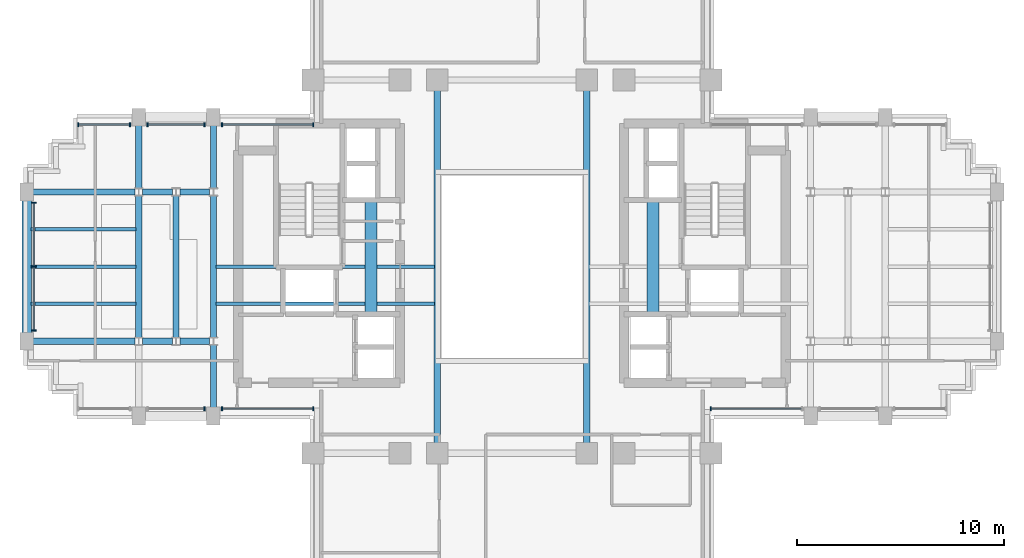
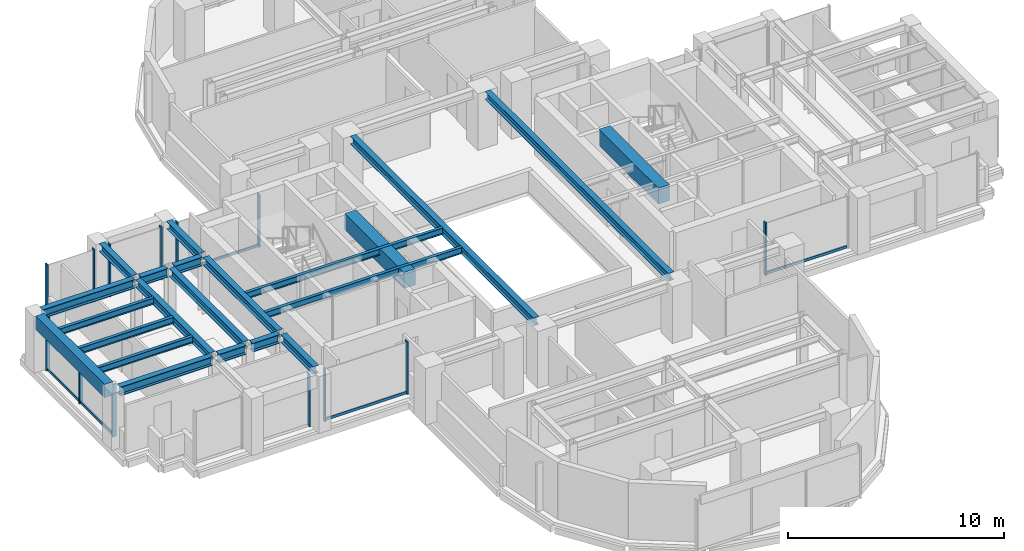
# One storey, part 4 of 14: 22 beams, 20 members, 7 elements without a shape of their own.
"""IFC4 building model written with IfcOpenShell, lengths in metres."""

import ifcopenshell
import ifcopenshell.guid

model = None  # the IFC model being written
_history = None  # IfcOwnerHistory: only IFC2X3 demands one
_inside = {}  # id of a spatial element -> (the spatial element, [elements in it])
_under = {}  # id of a project, library or spatial element -> (it, [spatial elements below it])
_declared = {}  # id of a project -> (the project, [libraries it declares])
_typed = {}  # id of a type object -> (the type object, [elements of that type])
_made_of = {}  # id of a material, layer set ... -> (it, [elements and type objects made of it])


def new_model(schema):
    """Start an empty IFC model of exactly this schema.

    Asked for "IFC4X3", IfcOpenShell would pick the latest addendum, in which some entities
    have other attributes; the version numbers below select the first issue.
    IFC2X3 requires an IfcOwnerHistory on every rooted entity: one is made here for all.
    """
    global model, _history
    if schema == "IFC4X3":
        model = ifcopenshell.file(schema_version=(4, 3, 0, 0))
    else:
        model = ifcopenshell.file(schema=schema)
    _inside.clear()
    _under.clear()
    _declared.clear()
    _typed.clear()
    _made_of.clear()
    _history = None
    if model.schema == "IFC2X3":
        org = make("IfcOrganization", Name="unknown")
        user = make(
            "IfcPersonAndOrganization",
            ThePerson=make("IfcPerson", FamilyName="unknown"),
            TheOrganization=org,
        )
        app = make(
            "IfcApplication",
            ApplicationDeveloper=org,
            Version="unknown",
            ApplicationFullName="unknown",
            ApplicationIdentifier="unknown",
        )
        _history = make(
            "IfcOwnerHistory",
            OwningUser=user,
            OwningApplication=app,
            ChangeAction="ADDED",
            CreationDate=0,
        )
    return model


def make(cls, **values):
    """One entity of the class cls with the attributes given. An attribute that is None is left unset."""
    return model.create_entity(
        cls, **{name: value for name, value in values.items() if value is not None}
    )


def rooted(cls, **values):
    """An entity with a GlobalId (a new one), such as an element, a storey or a relation."""
    return make(cls, GlobalId=ifcopenshell.guid.new(), OwnerHistory=_history, **values)


def si_unit(unit_type, name, prefix=None):
    """IfcSIUnit, for example si_unit("LENGTHUNIT", "METRE", prefix="MILLI")."""
    return make("IfcSIUnit", UnitType=unit_type, Prefix=prefix, Name=name)


def assignment(units):
    """IfcUnitAssignment: the units of a project."""
    return None if units is None else make("IfcUnitAssignment", Units=units)


def point(xyz):
    """IfcCartesianPoint."""
    return None if xyz is None else make("IfcCartesianPoint", Coordinates=xyz)


def direction(xyz):
    """IfcDirection."""
    return None if xyz is None else make("IfcDirection", DirectionRatios=xyz)


def frame(location, z_axis=None, x_axis=None):
    """IfcAxis2Placement3D, a coordinate frame: its origin and axes. An axis left out is left unset."""
    return make(
        "IfcAxis2Placement3D",
        Location=point(location),
        Axis=direction(z_axis),
        RefDirection=direction(x_axis),
    )


def frame_2d(location, x_axis=None):
    """IfcAxis2Placement2D, a coordinate frame in the plane: its origin and x axis."""
    return make(
        "IfcAxis2Placement2D", Location=point(location), RefDirection=direction(x_axis)
    )


def origin():
    """The frame at (0, 0, 0) with its axes left unset."""
    return frame((0.0, 0.0, 0.0))


def origin_2d():
    """The frame at (0, 0) in the plane with its x axis left unset."""
    return frame_2d((0.0, 0.0))


def place(relative_to, where):
    """IfcLocalPlacement: puts the frame where relative to a parent placement (None: the world)."""
    return make(
        "IfcLocalPlacement", PlacementRelTo=relative_to, RelativePlacement=where
    )


def context(
    kind, dimensions, precision=None, world=None, true_north=None, identifier=None
):
    """IfcGeometricRepresentationContext, for example the 3D "Model" context."""
    return make(
        "IfcGeometricRepresentationContext",
        ContextIdentifier=identifier,
        ContextType=kind,
        CoordinateSpaceDimension=dimensions,
        Precision=precision,
        WorldCoordinateSystem=world,
        TrueNorth=true_north,
    )


def subcontext(parent, identifier, kind, view, scale=None):
    """IfcGeometricRepresentationSubContext, for example "Body" below "Model"."""
    return make(
        "IfcGeometricRepresentationSubContext",
        ContextIdentifier=identifier,
        ContextType=kind,
        ParentContext=parent,
        TargetScale=scale,
        TargetView=view,
    )


def project(units=None, contexts=None):
    """IfcProject with its units and contexts."""
    return rooted(
        "IfcProject",
        Name="project",
        RepresentationContexts=contexts,
        UnitsInContext=assignment(units),
    )


def spatial(cls, under=None, at=None, **own):
    """A site, building, storey or space (cls), placed at a placement, below another one or the project."""
    s = rooted(cls, ObjectPlacement=at, **own)
    if under is not None:
        _under.setdefault(under.id(), (under, []))[1].append(s)
    return s


def profile(cls, at=None, kind="AREA", **sizes):
    """A parametric profile (cls). Its sizes go by their IFC names, for example OverallWidth=200.0."""
    return make(cls, ProfileType=kind, Position=at, **sizes)


def rectangle(**sizes):
    """IfcRectangleProfileDef."""
    return profile("IfcRectangleProfileDef", **sizes)


def i_section(**sizes):
    """IfcIShapeProfileDef."""
    return profile("IfcIShapeProfileDef", **sizes)


def extrude(swept, where, along, depth):
    """IfcExtrudedAreaSolid: the profile swept, set in the frame where, extruded along a direction by depth."""
    return make(
        "IfcExtrudedAreaSolid",
        SweptArea=swept,
        Position=where,
        ExtrudedDirection=direction(along),
        Depth=depth,
    )


def shape(context_of_items, identifier, shape_type, items):
    """IfcShapeRepresentation: the items that make up one representation, for example the "Body"."""
    return make(
        "IfcShapeRepresentation",
        ContextOfItems=context_of_items,
        RepresentationIdentifier=identifier,
        RepresentationType=shape_type,
        Items=items,
    )


def source(mapping_origin, context_of_items, identifier, shape_type, items):
    """IfcRepresentationMap: a shape defined once, which mapped items show again and again."""
    return make(
        "IfcRepresentationMap",
        MappingOrigin=mapping_origin,
        MappedRepresentation=shape(context_of_items, identifier, shape_type, items),
    )


def transform(
    local_origin,
    x_axis=None,
    y_axis=None,
    z_axis=None,
    scale=None,
    scale2=None,
    scale3=None,
    uniform=True,
):
    """IfcCartesianTransformationOperator3D, or its non-uniform kind. x_axis, y_axis, z_axis: its Axis1, 2, 3."""
    if uniform:
        return make(
            "IfcCartesianTransformationOperator3D",
            Axis1=direction(x_axis),
            Axis2=direction(y_axis),
            LocalOrigin=point(local_origin),
            Scale=scale,
            Axis3=direction(z_axis),
        )
    return make(
        "IfcCartesianTransformationOperator3DnonUniform",
        Axis1=direction(x_axis),
        Axis2=direction(y_axis),
        LocalOrigin=point(local_origin),
        Scale=scale,
        Axis3=direction(z_axis),
        Scale2=scale2,
        Scale3=scale3,
    )


def mapped(mapping_source, mapping_target):
    """IfcMappedItem: shows the shape of a source again, moved by a transform."""
    return make(
        "IfcMappedItem", MappingSource=mapping_source, MappingTarget=mapping_target
    )


def material(Name=None, Category=None):
    """IfcMaterial."""
    return make("IfcMaterial", Name=Name, Category=Category)


def material_profile(
    of_material, cross_section, Name=None, Category=None, Priority=None
):
    """IfcMaterialProfile: a cross section and its material."""
    return make(
        "IfcMaterialProfile",
        Name=Name,
        Material=of_material,
        Profile=cross_section,
        Priority=Priority,
        Category=Category,
    )


def profile_set(profiles, Name=None, composite=None):
    """IfcMaterialProfileSet."""
    return make(
        "IfcMaterialProfileSet",
        Name=Name,
        MaterialProfiles=profiles,
        CompositeProfile=composite,
    )


def made_of(thing, what):
    """Note that an element or type object is made of a material, layer set ...; save() writes the relation."""
    if what is not None:
        _made_of.setdefault(what.id(), (what, []))[1].append(thing)
    return thing


def type_object(cls, material=None, **own):
    """A type object (cls), such as IfcWallType, which elements share."""
    return made_of(rooted(cls, **own), material)


def element(
    cls,
    number,
    at=None,
    inside=None,
    cuts=None,
    type_object=None,
    material=None,
    context=None,
    identifier="Body",
    shape_type=None,
    held_by="IfcProductDefinitionShape",
    body=None,
    shapes=None,
    **own,
):
    """One element of the class cls, such as IfcWall. Its Tag is "e" and its number.

    at: its placement. inside: the storey or other place that contains it. cuts: it is an
    opening in that element (IfcRelVoidsElement). A single representation is given by context,
    identifier, shape_type and body (its items); several are given by shapes. held_by: the class
    of the entity that holds the representations. save() writes the other relations.
    """
    e = rooted(cls, Tag="e%d" % number, ObjectPlacement=at, **own)
    if body is not None:
        shapes = [shape(context, identifier, shape_type, body)]
    if shapes is not None:
        e.Representation = make(held_by, Representations=shapes)
    if inside is not None:
        _inside.setdefault(inside.id(), (inside, []))[1].append(e)
    if cuts is not None:
        rooted(
            "IfcRelVoidsElement", RelatingBuildingElement=cuts, RelatedOpeningElement=e
        )
    if type_object is not None:
        _typed.setdefault(type_object.id(), (type_object, []))[1].append(e)
    return made_of(e, material)


def aggregate(whole, parts):
    """IfcRelAggregates: a whole, such as a stair, and the parts it consists of."""
    return rooted("IfcRelAggregates", RelatingObject=whole, RelatedObjects=parts)


def save(model, path):
    """Write the relations noted so far, then the file.

    IfcRelAggregates (storeys below a building ...), IfcRelContainedInSpatialStructure (elements
    in a storey), IfcRelDefinesByType, IfcRelAssociatesMaterial and IfcRelDeclares: one each for
    every whole, place, type object, material and project.
    """
    for whole, parts in _under.values():
        aggregate(whole, parts)
    for where, things in _inside.values():
        rooted(
            "IfcRelContainedInSpatialStructure",
            RelatedElements=things,
            RelatingStructure=where,
        )
    for kind, things in _typed.values():
        rooted("IfcRelDefinesByType", RelatedObjects=things, RelatingType=kind)
    for what, things in _made_of.values():
        rooted("IfcRelAssociatesMaterial", RelatedObjects=things, RelatingMaterial=what)
    for by, libraries in _declared.values():
        rooted("IfcRelDeclares", RelatingContext=by, RelatedDefinitions=libraries)
    model.write(path)


model = new_model("IFC4")

# Units and contexts
model_context = context("Model", 3, precision=1e-05, world=origin(), true_north=direction((0.0, 1.0)))
body_context = subcontext(model_context, "Body", "Model", "MODEL_VIEW")
ifc_project = project(units=[si_unit("LENGTHUNIT", "METRE"), si_unit("AREAUNIT", "SQUARE_METRE"), si_unit("VOLUMEUNIT", "CUBIC_METRE"), si_unit("PLANEANGLEUNIT", "RADIAN"), si_unit("MASSUNIT", "GRAM", prefix="KILO")], contexts=[model_context])

# Site, building, storey
site_placement = place(None, origin())
site = spatial("IfcSite", under=ifc_project, at=site_placement, CompositionType="ELEMENT")
building_placement = place(site_placement, origin())
building = spatial("IfcBuilding", under=site, at=building_placement, Name="Keilestroom Media Tower", CompositionType="ELEMENT")
storey_placement = place(building_placement, frame((0.0, 0.0, 110.800048828125)))
storey = spatial("IfcBuildingStorey", under=building, at=storey_placement, Name="L29", CompositionType="ELEMENT", Elevation=110.800048828125)

# Beams
ifc_material_1 = material(Name="Concrete C70/85", Category="concrete")
ifc_material_profile_1 = material_profile(ifc_material_1, rectangle(XDim=0.60009765625, YDim=0.89990234375, at=origin_2d()), Name="RC 600x900")
ifc_profile_set_1 = profile_set([ifc_material_profile_1], Name="Concrete C70/85")
beam_type_1 = type_object("IfcBeamType", Name="Core-Coupling-Lintel-Beam-RC-600x900", PredefinedType="LINTEL", material=ifc_profile_set_1)
shared_shape_1 = source(origin(), body_context, "Body", "SweptSolid", [
    extrude(rectangle(XDim=0.60009765625, YDim=0.89990234375, at=origin_2d()), origin(), (0.0, 0.0, 1.0), 5.52001953125),
])
for number, where, z_axis, x_axis, name in (
    (1, (-6.800048828125, -2.300048828125, 2.75), (0.0, 1.0, 0.0), (-1.0, 0.0, 0.0), "L29 Beam CLB-1 CLB-L29-W"),
    (2, (6.800048828125, -2.300048828125, 2.75), (0.0, 1.0, 0.0), (-1.0, 0.0, 0.0), "L29 Beam CLB-1 CLB-L29-E"),
):
    element("IfcBeam", number, at=place(storey_placement, frame(where, z_axis=z_axis, x_axis=x_axis)), inside=storey, type_object=beam_type_1, Name=name, PredefinedType="LINTEL", context=body_context, shape_type="MappedRepresentation", body=[
        mapped(shared_shape_1, transform((0.0, 0.0, 0.0), x_axis=(1.0, 0.0, 0.0), y_axis=(0.0, 1.0, 0.0), z_axis=(0.0, 0.0, 1.0), scale=1.0)),
    ])
ifc_material_2 = material(Name="Steel S355", Category="steel")
ifc_material_profile_2 = material_profile(ifc_material_2, i_section(OverallWidth=0.169921875, OverallDepth=0.360107421875, WebThickness=0.008056640625, FlangeThickness=0.0126953125, at=origin_2d()), Name="IPE 360")
ifc_profile_set_2 = profile_set([ifc_material_profile_2], Name="Steel S355")
beam_type_2 = type_object("IfcBeamType", Name="Secondary-Floor-Joist-IPE-360", PredefinedType="JOIST", material=ifc_profile_set_2)
shared_shape_2 = source(origin(), body_context, "Body", "SweptSolid", [
    extrude(i_section(OverallWidth=0.169921875, OverallDepth=0.360107421875, WebThickness=0.008056640625, FlangeThickness=0.0126953125, at=origin_2d()), origin(), (0.0, 0.0, 1.0), 10.5400390625),
])
for number, where, z_axis, x_axis, name in (
    (3, (-14.27001953125, -1.800048828125, 3.02001953125), (1.0, 0.0, 0.0), (0.0, 1.0, 0.0), "L29 Beam BJ-5 JST-L29-072"),
    (4, (-14.27001953125, 0.0, 3.02001953125), (1.0, 0.0, 0.0), (0.0, 1.0, 0.0), "L29 Beam BJ-5 JST-L29-077"),
):
    element("IfcBeam", number, at=place(storey_placement, frame(where, z_axis=z_axis, x_axis=x_axis)), inside=storey, type_object=beam_type_2, Name=name, PredefinedType="JOIST", context=body_context, shape_type="MappedRepresentation", body=[
        mapped(shared_shape_2, transform((0.0, 0.0, 0.0), x_axis=(1.0, 0.0, 0.0), y_axis=(0.0, 1.0, 0.0), z_axis=(0.0, 0.0, 1.0), scale=1.0)),
    ])
ifc_material_profile_3 = material_profile(ifc_material_2, i_section(OverallWidth=0.300048828125, OverallDepth=0.5, WebThickness=0.012451171875, FlangeThickness=0.028076171875, at=origin_2d()), Name="HEB 500")
ifc_profile_set_3 = profile_set([ifc_material_profile_3], Name="Steel S355")
beam_type_3 = type_object("IfcBeamType", Name="Primary-Structural-Girder-HEB-500", PredefinedType="BEAM", material=ifc_profile_set_3)
shared_shape_3 = source(origin(), body_context, "Body", "SweptSolid", [
    extrude(i_section(OverallWidth=0.300048828125, OverallDepth=0.5, WebThickness=0.012451171875, FlangeThickness=0.028076171875, at=origin_2d()), origin(), (0.0, 0.0, 1.0), 4.91455078125),
])
for number, where, z_axis, x_axis, name in (
    (5, (-23.094970703125, -3.60009765625, 2.949951171875), (1.0, 0.0, 0.0), (0.0, 1.0, 0.0), "L29 Beam BG-6 BM-L29-EW-014"),
    (6, (-23.094970703125, 3.60009765625, 2.949951171875), (1.0, 0.0, 0.0), (0.0, 1.0, 0.0), "L29 Beam BG-6 BM-L29-EW-020"),
):
    element("IfcBeam", number, at=place(storey_placement, frame(where, z_axis=z_axis, x_axis=x_axis)), inside=storey, type_object=beam_type_3, Name=name, PredefinedType="BEAM", context=body_context, shape_type="MappedRepresentation", body=[
        mapped(shared_shape_3, transform((0.0, 0.0, 0.0), x_axis=(1.0, 0.0, 0.0), y_axis=(0.0, 1.0, 0.0), z_axis=(0.0, 0.0, 1.0), scale=1.0)),
    ])
shared_shape_4 = source(origin(), body_context, "Body", "SweptSolid", [
    extrude(i_section(OverallWidth=0.300048828125, OverallDepth=0.5, WebThickness=0.012451171875, FlangeThickness=0.028076171875, at=origin_2d()), origin(), (0.0, 0.0, 1.0), 1.43896484375),
])
for number, where, z_axis, x_axis, name in (
    (7, (-17.819580078125, -3.60009765625, 2.949951171875), (1.0, 0.0, 0.0), (0.0, 1.0, 0.0), "L29 Beam BG-6 BM-L29-EW-015"),
    (8, (-16.01953125, -3.60009765625, 2.949951171875), (1.0, 0.0, 0.0), (0.0, 1.0, 0.0), "L29 Beam BG-6 BM-L29-EW-016"),
    (9, (-17.819580078125, 3.60009765625, 2.949951171875), (1.0, 0.0, 0.0), (0.0, 1.0, 0.0), "L29 Beam BG-6 BM-L29-EW-021"),
    (10, (-16.01953125, 3.60009765625, 2.949951171875), (1.0, 0.0, 0.0), (0.0, 1.0, 0.0), "L29 Beam BG-6 BM-L29-EW-022"),
):
    element("IfcBeam", number, at=place(storey_placement, frame(where, z_axis=z_axis, x_axis=x_axis)), inside=storey, type_object=beam_type_3, Name=name, PredefinedType="BEAM", context=body_context, shape_type="MappedRepresentation", body=[
        mapped(shared_shape_4, transform((0.0, 0.0, 0.0), x_axis=(1.0, 0.0, 0.0), y_axis=(0.0, 1.0, 0.0), z_axis=(0.0, 0.0, 1.0), scale=1.0)),
    ])
ifc_material_3 = material(Name="Precast concrete C40/50", Category="concrete")
ifc_material_profile_4 = material_profile(ifc_material_3, rectangle(XDim=0.449951171875, YDim=0.75, at=origin_2d()), Name="PC 450x750")
ifc_profile_set_4 = profile_set([ifc_material_profile_4], Name="Precast concrete C40/50")
beam_type_4 = type_object("IfcBeamType", Name="Perimeter-Spandrel-Beam-PC-450x750", PredefinedType="SPANDREL", material=ifc_profile_set_4)
shared_shape_5 = source(origin(), body_context, "Body", "SweptSolid", [
    extrude(rectangle(XDim=0.449951171875, YDim=0.75, at=origin_2d()), origin(), (0.0, 0.0, 1.0), 6.39013671875),
])
beam_placement = place(storey_placement, frame((-23.39990234375, -3.195068359375, 2.824951171875), z_axis=(0.0, 1.0, 0.0), x_axis=(-1.0, 0.0, 0.0)))
element("IfcBeam", 11, at=beam_placement, inside=storey, type_object=beam_type_4, Name="L29 Beam SPB-1 BM-L29-NS-039", PredefinedType="SPANDREL", context=body_context, shape_type="MappedRepresentation", body=[
    mapped(shared_shape_5, transform((0.0, 0.0, 0.0), x_axis=(1.0, 0.0, 0.0), y_axis=(0.0, 1.0, 0.0), z_axis=(0.0, 0.0, 1.0), scale=1.0)),
])
shared_shape_6 = source(origin(), body_context, "Body", "SweptSolid", [
    extrude(i_section(OverallWidth=0.169921875, OverallDepth=0.360107421875, WebThickness=0.008056640625, FlangeThickness=0.0126953125, at=origin_2d()), origin(), (0.0, 0.0, 1.0), 5.065185546875),
])
for number, where, z_axis, x_axis, name in (
    (12, (-23.195068359375, -1.800048828125, 3.02001953125), (1.0, 0.0, 0.0), (0.0, 1.0, 0.0), "L29 Beam BJ-5 JST-L29-071"),
    (13, (-23.195068359375, 0.0, 3.02001953125), (1.0, 0.0, 0.0), (0.0, 1.0, 0.0), "L29 Beam BJ-5 JST-L29-076"),
    (14, (-23.195068359375, 1.800048828125, 3.02001953125), (1.0, 0.0, 0.0), (0.0, 1.0, 0.0), "L29 Beam BJ-5 JST-L29-081"),
):
    element("IfcBeam", number, at=place(storey_placement, frame(where, z_axis=z_axis, x_axis=x_axis)), inside=storey, type_object=beam_type_2, Name=name, PredefinedType="JOIST", context=body_context, shape_type="MappedRepresentation", body=[
        mapped(shared_shape_6, transform((0.0, 0.0, 0.0), x_axis=(1.0, 0.0, 0.0), y_axis=(0.0, 1.0, 0.0), z_axis=(0.0, 0.0, 1.0), scale=1.0)),
    ])
ifc_material_profile_5 = material_profile(ifc_material_2, i_section(OverallWidth=0.300048828125, OverallDepth=0.43994140625, WebThickness=0.011474609375, FlangeThickness=0.02099609375, at=origin_2d()), Name="HEA 450")
ifc_profile_set_5 = profile_set([ifc_material_profile_5], Name="Steel S355")
beam_type_5 = type_object("IfcBeamType", Name="Primary-Structural-Girder-HEA-450", PredefinedType="BEAM", material=ifc_profile_set_5)
shared_shape_7 = source(origin(), body_context, "Body", "SweptSolid", [
    extrude(i_section(OverallWidth=0.300048828125, OverallDepth=0.43994140625, WebThickness=0.011474609375, FlangeThickness=0.02099609375, at=origin_2d()), origin(), (0.0, 0.0, 1.0), 3.015380859375),
])
for number, where, z_axis, x_axis, name in (
    (15, (-18.0, 3.779541015625, 2.97998046875), (0.0, 1.0, 0.0), (-1.0, 0.0, 0.0), "L29 Beam BG-11 BM-L29-NS-042"),
    (16, (-14.39990234375, -6.794921875, 2.97998046875), (0.0, 1.0, 0.0), (-1.0, 0.0, 0.0), "L29 Beam BG-11 BM-L29-NS-044"),
    (17, (-14.39990234375, 3.779541015625, 2.97998046875), (0.0, 1.0, 0.0), (-1.0, 0.0, 0.0), "L29 Beam BG-11 BM-L29-NS-046"),
):
    element("IfcBeam", number, at=place(storey_placement, frame(where, z_axis=z_axis, x_axis=x_axis)), inside=storey, type_object=beam_type_5, Name=name, PredefinedType="BEAM", context=body_context, shape_type="MappedRepresentation", body=[
        mapped(shared_shape_7, transform((0.0, 0.0, 0.0), x_axis=(1.0, 0.0, 0.0), y_axis=(0.0, 1.0, 0.0), z_axis=(0.0, 0.0, 1.0), scale=1.0)),
    ])
shared_shape_8 = source(origin(), body_context, "Body", "SweptSolid", [
    extrude(i_section(OverallWidth=0.300048828125, OverallDepth=0.43994140625, WebThickness=0.011474609375, FlangeThickness=0.02099609375, at=origin_2d()), origin(), (0.0, 0.0, 1.0), 6.8408203125),
])
for number, where, z_axis, x_axis, name in (
    (18, (-18.0, -3.42041015625, 2.97998046875), (0.0, 1.0, 0.0), (-1.0, 0.0, 0.0), "L29 Beam BG-11 BM-L29-NS-041"),
    (19, (-16.199951171875, -3.42041015625, 2.97998046875), (0.0, 1.0, 0.0), (-1.0, 0.0, 0.0), "L29 Beam BG-11 BM-L29-NS-043"),
    (20, (-14.39990234375, -3.42041015625, 2.97998046875), (0.0, 1.0, 0.0), (-1.0, 0.0, 0.0), "L29 Beam BG-11 BM-L29-NS-045"),
):
    element("IfcBeam", number, at=place(storey_placement, frame(where, z_axis=z_axis, x_axis=x_axis)), inside=storey, type_object=beam_type_5, Name=name, PredefinedType="BEAM", context=body_context, shape_type="MappedRepresentation", body=[
        mapped(shared_shape_8, transform((0.0, 0.0, 0.0), x_axis=(1.0, 0.0, 0.0), y_axis=(0.0, 1.0, 0.0), z_axis=(0.0, 0.0, 1.0), scale=1.0)),
    ])
shared_shape_9 = source(origin(), body_context, "Body", "SweptSolid", [
    extrude(i_section(OverallWidth=0.300048828125, OverallDepth=0.43994140625, WebThickness=0.011474609375, FlangeThickness=0.02099609375, at=origin_2d()), origin(), (0.0, 0.0, 1.0), 16.990234375),
])
for number, where, z_axis, x_axis, name in (
    (21, (-3.60009765625, -8.4951171875, 2.97998046875), (0.0, 1.0, 0.0), (-1.0, 0.0, 0.0), "L29 Beam BG-11 BM-L29-NS-051"),
    (22, (3.60009765625, -8.4951171875, 2.97998046875), (0.0, 1.0, 0.0), (-1.0, 0.0, 0.0), "L29 Beam BG-11 BM-L29-NS-056"),
):
    element("IfcBeam", number, at=place(storey_placement, frame(where, z_axis=z_axis, x_axis=x_axis)), inside=storey, type_object=beam_type_5, Name=name, PredefinedType="BEAM", context=body_context, shape_type="MappedRepresentation", body=[
        mapped(shared_shape_9, transform((0.0, 0.0, 0.0), x_axis=(1.0, 0.0, 0.0), y_axis=(0.0, 1.0, 0.0), z_axis=(0.0, 0.0, 1.0), scale=1.0)),
    ])

# Curtain wall, members
ifc_material_4 = material(Name="Anodised Aluminium Alloy", Category="aluminium")
curtain_wall_type = type_object("IfcCurtainWallType", Name="Unitised-Curtain-Wall-CW-2", PredefinedType="NOTDEFINED", material=ifc_material_4)
curtain_wall_1_placement = place(storey_placement, origin())
curtain_wall_1 = element("IfcCurtainWall", 23, at=curtain_wall_1_placement, inside=storey, type_object=curtain_wall_type, Name="L29 Curtain Wall CW-2 CW-L29-W-1", PredefinedType="NOTDEFINED")
ifc_material_profile_6 = material_profile(ifc_material_4, rectangle(XDim=0.070068359375, YDim=0.199951171875, at=origin_2d()), Name="ALU MULLION 70x200")
ifc_profile_set_6 = profile_set([ifc_material_profile_6], Name="Anodised Aluminium Alloy")
member_type_1 = type_object("IfcMemberType", Name="Curtain-Wall-Mullion-CW-2", PredefinedType="MULLION", material=ifc_profile_set_6)
shared_shape_10 = source(origin(), body_context, "Body", "SweptSolid", [
    extrude(rectangle(XDim=0.070068359375, YDim=0.199951171875, at=origin_2d()), origin(), (0.0, 0.0, 1.0), 2.97998046875),
])
member_1_placement = place(storey_placement, frame((-23.050048828125, -3.080078125, 0.0), z_axis=(0.0, 0.0, 1.0), x_axis=(0.0, 1.0, 0.0)))
member_1 = element("IfcMember", 24, at=member_1_placement, type_object=member_type_1, Name="CW-2 Mullion 00", PredefinedType="MULLION", context=body_context, shape_type="MappedRepresentation", body=[
    mapped(shared_shape_10, transform((0.0, 0.0, 0.0), x_axis=(1.0, 0.0, 0.0), y_axis=(0.0, 1.0, 0.0), z_axis=(0.0, 0.0, 1.0), scale=1.0)),
])
member_2_placement = place(storey_placement, frame((-23.050048828125, 0.0, 0.0), z_axis=(0.0, 0.0, 1.0), x_axis=(0.0, 1.0, 0.0)))
member_2 = element("IfcMember", 25, at=member_2_placement, type_object=member_type_1, Name="CW-2 Mullion 01", PredefinedType="MULLION", context=body_context, shape_type="MappedRepresentation", body=[
    mapped(shared_shape_10, transform((0.0, 0.0, 0.0), x_axis=(1.0, 0.0, 0.0), y_axis=(0.0, 1.0, 0.0), z_axis=(0.0, 0.0, 1.0), scale=1.0)),
])
member_3_placement = place(storey_placement, frame((-23.050048828125, 3.080078125, 0.0), z_axis=(0.0, 0.0, 1.0), x_axis=(0.0, 1.0, 0.0)))
member_3 = element("IfcMember", 26, at=member_3_placement, type_object=member_type_1, Name="CW-2 Mullion 02", PredefinedType="MULLION", context=body_context, shape_type="MappedRepresentation", body=[
    mapped(shared_shape_10, transform((0.0, 0.0, 0.0), x_axis=(1.0, 0.0, 0.0), y_axis=(0.0, 1.0, 0.0), z_axis=(0.0, 0.0, 1.0), scale=1.0)),
])

curtain_wall_2_placement = place(storey_placement, origin())
curtain_wall_2 = element("IfcCurtainWall", 27, at=curtain_wall_2_placement, inside=storey, type_object=curtain_wall_type, Name="L29 Curtain Wall CW-2 CW-L29-NW-1", PredefinedType="NOTDEFINED")
member_4_placement = place(storey_placement, frame((-20.9150390625, 6.85009765625, 0.0), z_axis=(0.0, 0.0, 1.0), x_axis=(1.0, 0.0, 0.0)))
member_4 = element("IfcMember", 28, at=member_4_placement, type_object=member_type_1, Name="CW-2 Mullion 00", PredefinedType="MULLION", context=body_context, shape_type="MappedRepresentation", body=[
    mapped(shared_shape_10, transform((0.0, 0.0, 0.0), x_axis=(1.0, 0.0, 0.0), y_axis=(0.0, 1.0, 0.0), z_axis=(0.0, 0.0, 1.0), scale=1.0)),
])
member_5_placement = place(storey_placement, frame((-18.419921875, 6.85009765625, 0.0), z_axis=(0.0, 0.0, 1.0), x_axis=(1.0, 0.0, 0.0)))
member_5 = element("IfcMember", 29, at=member_5_placement, type_object=member_type_1, Name="CW-2 Mullion 01", PredefinedType="MULLION", context=body_context, shape_type="MappedRepresentation", body=[
    mapped(shared_shape_10, transform((0.0, 0.0, 0.0), x_axis=(1.0, 0.0, 0.0), y_axis=(0.0, 1.0, 0.0), z_axis=(0.0, 0.0, 1.0), scale=1.0)),
])

curtain_wall_3_placement = place(storey_placement, origin())
curtain_wall_3 = element("IfcCurtainWall", 30, at=curtain_wall_3_placement, inside=storey, type_object=curtain_wall_type, Name="L29 Curtain Wall CW-2 CW-L29-NW-2", PredefinedType="NOTDEFINED")
member_6_placement = place(storey_placement, frame((-17.580078125, 6.85009765625, 0.0), z_axis=(0.0, 0.0, 1.0), x_axis=(1.0, 0.0, 0.0)))
member_6 = element("IfcMember", 31, at=member_6_placement, type_object=member_type_1, Name="CW-2 Mullion 00", PredefinedType="MULLION", context=body_context, shape_type="MappedRepresentation", body=[
    mapped(shared_shape_10, transform((0.0, 0.0, 0.0), x_axis=(1.0, 0.0, 0.0), y_axis=(0.0, 1.0, 0.0), z_axis=(0.0, 0.0, 1.0), scale=1.0)),
])
member_7_placement = place(storey_placement, frame((-14.820068359375, 6.85009765625, 0.0), z_axis=(0.0, 0.0, 1.0), x_axis=(1.0, 0.0, 0.0)))
member_7 = element("IfcMember", 32, at=member_7_placement, type_object=member_type_1, Name="CW-2 Mullion 01", PredefinedType="MULLION", context=body_context, shape_type="MappedRepresentation", body=[
    mapped(shared_shape_10, transform((0.0, 0.0, 0.0), x_axis=(1.0, 0.0, 0.0), y_axis=(0.0, 1.0, 0.0), z_axis=(0.0, 0.0, 1.0), scale=1.0)),
])

curtain_wall_4_placement = place(storey_placement, origin())
curtain_wall_4 = element("IfcCurtainWall", 33, at=curtain_wall_4_placement, inside=storey, type_object=curtain_wall_type, Name="L29 Curtain Wall CW-2 CW-L29-NW-3", PredefinedType="NOTDEFINED")
member_8_placement = place(storey_placement, frame((-13.97998046875, 6.85009765625, 0.0), z_axis=(0.0, 0.0, 1.0), x_axis=(1.0, 0.0, 0.0)))
member_8 = element("IfcMember", 34, at=member_8_placement, type_object=member_type_1, Name="CW-2 Mullion 00", PredefinedType="MULLION", context=body_context, shape_type="MappedRepresentation", body=[
    mapped(shared_shape_10, transform((0.0, 0.0, 0.0), x_axis=(1.0, 0.0, 0.0), y_axis=(0.0, 1.0, 0.0), z_axis=(0.0, 0.0, 1.0), scale=1.0)),
])
member_9_placement = place(storey_placement, frame((-9.5849609375, 6.85009765625, 0.0), z_axis=(0.0, 0.0, 1.0), x_axis=(1.0, 0.0, 0.0)))
member_9 = element("IfcMember", 35, at=member_9_placement, type_object=member_type_1, Name="CW-2 Mullion 01", PredefinedType="MULLION", context=body_context, shape_type="MappedRepresentation", body=[
    mapped(shared_shape_10, transform((0.0, 0.0, 0.0), x_axis=(1.0, 0.0, 0.0), y_axis=(0.0, 1.0, 0.0), z_axis=(0.0, 0.0, 1.0), scale=1.0)),
])

# Curtain wall, member
curtain_wall_5_placement = place(storey_placement, origin())
curtain_wall_5 = element("IfcCurtainWall", 36, at=curtain_wall_5_placement, inside=storey, type_object=curtain_wall_type, Name="L29 Curtain Wall CW-2 CW-L29-SW-2", PredefinedType="NOTDEFINED")
member_10_placement = place(storey_placement, frame((-14.820068359375, -6.85009765625, 0.0), z_axis=(0.0, 0.0, 1.0), x_axis=(1.0, 0.0, 0.0)))
member_10 = element("IfcMember", 37, at=member_10_placement, type_object=member_type_1, Name="CW-2 Mullion 01", PredefinedType="MULLION", context=body_context, shape_type="MappedRepresentation", body=[
    mapped(shared_shape_10, transform((0.0, 0.0, 0.0), x_axis=(1.0, 0.0, 0.0), y_axis=(0.0, 1.0, 0.0), z_axis=(0.0, 0.0, 1.0), scale=1.0)),
])
aggregate(curtain_wall_5, [member_10])

# Curtain wall, members
curtain_wall_6_placement = place(storey_placement, origin())
curtain_wall_6 = element("IfcCurtainWall", 38, at=curtain_wall_6_placement, inside=storey, type_object=curtain_wall_type, Name="L29 Curtain Wall CW-2 CW-L29-SW-3", PredefinedType="NOTDEFINED")
member_11_placement = place(storey_placement, frame((-13.97998046875, -6.85009765625, 0.0), z_axis=(0.0, 0.0, 1.0), x_axis=(1.0, 0.0, 0.0)))
member_11 = element("IfcMember", 39, at=member_11_placement, type_object=member_type_1, Name="CW-2 Mullion 00", PredefinedType="MULLION", context=body_context, shape_type="MappedRepresentation", body=[
    mapped(shared_shape_10, transform((0.0, 0.0, 0.0), x_axis=(1.0, 0.0, 0.0), y_axis=(0.0, 1.0, 0.0), z_axis=(0.0, 0.0, 1.0), scale=1.0)),
])
member_12_placement = place(storey_placement, frame((-9.5849609375, -6.85009765625, 0.0), z_axis=(0.0, 0.0, 1.0), x_axis=(1.0, 0.0, 0.0)))
member_12 = element("IfcMember", 40, at=member_12_placement, type_object=member_type_1, Name="CW-2 Mullion 01", PredefinedType="MULLION", context=body_context, shape_type="MappedRepresentation", body=[
    mapped(shared_shape_10, transform((0.0, 0.0, 0.0), x_axis=(1.0, 0.0, 0.0), y_axis=(0.0, 1.0, 0.0), z_axis=(0.0, 0.0, 1.0), scale=1.0)),
])

# Curtain wall, member
curtain_wall_7_placement = place(storey_placement, origin())
curtain_wall_7 = element("IfcCurtainWall", 41, at=curtain_wall_7_placement, inside=storey, type_object=curtain_wall_type, Name="L29 Curtain Wall CW-2 CW-L29-SE-1", PredefinedType="NOTDEFINED")
member_13_placement = place(storey_placement, frame((9.5849609375, -6.85009765625, 0.0), z_axis=(0.0, 0.0, 1.0), x_axis=(1.0, 0.0, 0.0)))
member_13 = element("IfcMember", 42, at=member_13_placement, type_object=member_type_1, Name="CW-2 Mullion 00", PredefinedType="MULLION", context=body_context, shape_type="MappedRepresentation", body=[
    mapped(shared_shape_10, transform((0.0, 0.0, 0.0), x_axis=(1.0, 0.0, 0.0), y_axis=(0.0, 1.0, 0.0), z_axis=(0.0, 0.0, 1.0), scale=1.0)),
])

# Member
ifc_material_profile_7 = material_profile(ifc_material_4, rectangle(XDim=0.06494140625, YDim=0.14990234375, at=origin_2d()), Name="ALU TRANSOM 65x150")
ifc_profile_set_7 = profile_set([ifc_material_profile_7], Name="Anodised Aluminium Alloy")
member_type_2 = type_object("IfcMemberType", Name="Curtain-Wall-Transom-CW-2", PredefinedType="USERDEFINED", material=ifc_profile_set_7)
shared_shape_11 = source(origin(), body_context, "Body", "SweptSolid", [
    extrude(rectangle(XDim=0.06494140625, YDim=0.14990234375, at=origin_2d()), origin(), (0.0, 0.0, 1.0), 2.42919921875),
])
member_14_placement = place(storey_placement, frame((-20.882080078125, 6.85009765625, 0.074951171875), z_axis=(1.0, 0.0, 0.0), x_axis=(0.0, 1.0, 0.0)))
member_14 = element("IfcMember", 43, at=member_14_placement, type_object=member_type_2, Name="CW-2 Transom 00.1", ObjectType="TRANSOM", PredefinedType="USERDEFINED", context=body_context, shape_type="MappedRepresentation", body=[
    mapped(shared_shape_11, transform((0.0, 0.0, 0.0), x_axis=(1.0, 0.0, 0.0), y_axis=(0.0, 1.0, 0.0), z_axis=(0.0, 0.0, 1.0), scale=1.0)),
])

aggregate(curtain_wall_2, [member_4, member_5, member_14])

shared_shape_12 = source(origin(), body_context, "Body", "SweptSolid", [
    extrude(rectangle(XDim=0.06494140625, YDim=0.14990234375, at=origin_2d()), origin(), (0.0, 0.0, 1.0), 2.694091796875),
])
member_15_placement = place(storey_placement, frame((-17.547119140625, 6.85009765625, 0.074951171875), z_axis=(1.0, 0.0, 0.0), x_axis=(0.0, 1.0, 0.0)))
member_15 = element("IfcMember", 44, at=member_15_placement, type_object=member_type_2, Name="CW-2 Transom 00.1", ObjectType="TRANSOM", PredefinedType="USERDEFINED", context=body_context, shape_type="MappedRepresentation", body=[
    mapped(shared_shape_12, transform((0.0, 0.0, 0.0), x_axis=(1.0, 0.0, 0.0), y_axis=(0.0, 1.0, 0.0), z_axis=(0.0, 0.0, 1.0), scale=1.0)),
])

aggregate(curtain_wall_3, [member_6, member_7, member_15])

shared_shape_13 = source(origin(), body_context, "Body", "SweptSolid", [
    extrude(rectangle(XDim=0.06494140625, YDim=0.14990234375, at=origin_2d()), origin(), (0.0, 0.0, 1.0), 4.3291015625),
])
member_16_placement = place(storey_placement, frame((-13.947021484375, 6.85009765625, 0.074951171875), z_axis=(1.0, 0.0, 0.0), x_axis=(0.0, 1.0, 0.0)))
member_16 = element("IfcMember", 45, at=member_16_placement, type_object=member_type_2, Name="CW-2 Transom 00.1", ObjectType="TRANSOM", PredefinedType="USERDEFINED", context=body_context, shape_type="MappedRepresentation", body=[
    mapped(shared_shape_13, transform((0.0, 0.0, 0.0), x_axis=(1.0, 0.0, 0.0), y_axis=(0.0, 1.0, 0.0), z_axis=(0.0, 0.0, 1.0), scale=1.0)),
])

aggregate(curtain_wall_4, [member_8, member_9, member_16])

member_17_placement = place(storey_placement, frame((-13.947021484375, -6.85009765625, 0.074951171875), z_axis=(1.0, 0.0, 0.0), x_axis=(0.0, 1.0, 0.0)))
member_17 = element("IfcMember", 46, at=member_17_placement, type_object=member_type_2, Name="CW-2 Transom 00.1", ObjectType="TRANSOM", PredefinedType="USERDEFINED", context=body_context, shape_type="MappedRepresentation", body=[
    mapped(shared_shape_13, transform((0.0, 0.0, 0.0), x_axis=(1.0, 0.0, 0.0), y_axis=(0.0, 1.0, 0.0), z_axis=(0.0, 0.0, 1.0), scale=1.0)),
])

aggregate(curtain_wall_6, [member_11, member_12, member_17])

member_18_placement = place(storey_placement, frame((9.617919921875, -6.85009765625, 0.074951171875), z_axis=(1.0, 0.0, 0.0), x_axis=(0.0, 1.0, 0.0)))
member_18 = element("IfcMember", 47, at=member_18_placement, type_object=member_type_2, Name="CW-2 Transom 00.1", ObjectType="TRANSOM", PredefinedType="USERDEFINED", context=body_context, shape_type="MappedRepresentation", body=[
    mapped(shared_shape_13, transform((0.0, 0.0, 0.0), x_axis=(1.0, 0.0, 0.0), y_axis=(0.0, 1.0, 0.0), z_axis=(0.0, 0.0, 1.0), scale=1.0)),
])

aggregate(curtain_wall_7, [member_13, member_18])

shared_shape_14 = source(origin(), body_context, "Body", "SweptSolid", [
    extrude(rectangle(XDim=0.06494140625, YDim=0.14990234375, at=origin_2d()), origin(), (0.0, 0.0, 1.0), 3.01416015625),
])
member_19_placement = place(storey_placement, frame((-23.050048828125, -3.047119140625, 0.074951171875), z_axis=(0.0, 1.0, 0.0), x_axis=(-1.0, 0.0, 0.0)))
member_19 = element("IfcMember", 48, at=member_19_placement, type_object=member_type_2, Name="CW-2 Transom 00.1", ObjectType="TRANSOM", PredefinedType="USERDEFINED", context=body_context, shape_type="MappedRepresentation", body=[
    mapped(shared_shape_14, transform((0.0, 0.0, 0.0), x_axis=(1.0, 0.0, 0.0), y_axis=(0.0, 1.0, 0.0), z_axis=(0.0, 0.0, 1.0), scale=1.0)),
])

member_20_placement = place(storey_placement, frame((-23.050048828125, 0.032958984375, 0.074951171875), z_axis=(0.0, 1.0, 0.0), x_axis=(-1.0, 0.0, 0.0)))
member_20 = element("IfcMember", 49, at=member_20_placement, type_object=member_type_2, Name="CW-2 Transom 01.1", ObjectType="TRANSOM", PredefinedType="USERDEFINED", context=body_context, shape_type="MappedRepresentation", body=[
    mapped(shared_shape_14, transform((0.0, 0.0, 0.0), x_axis=(1.0, 0.0, 0.0), y_axis=(0.0, 1.0, 0.0), z_axis=(0.0, 0.0, 1.0), scale=1.0)),
])

aggregate(curtain_wall_1, [member_1, member_2, member_3, member_19, member_20])

save(model, "model.ifc")
